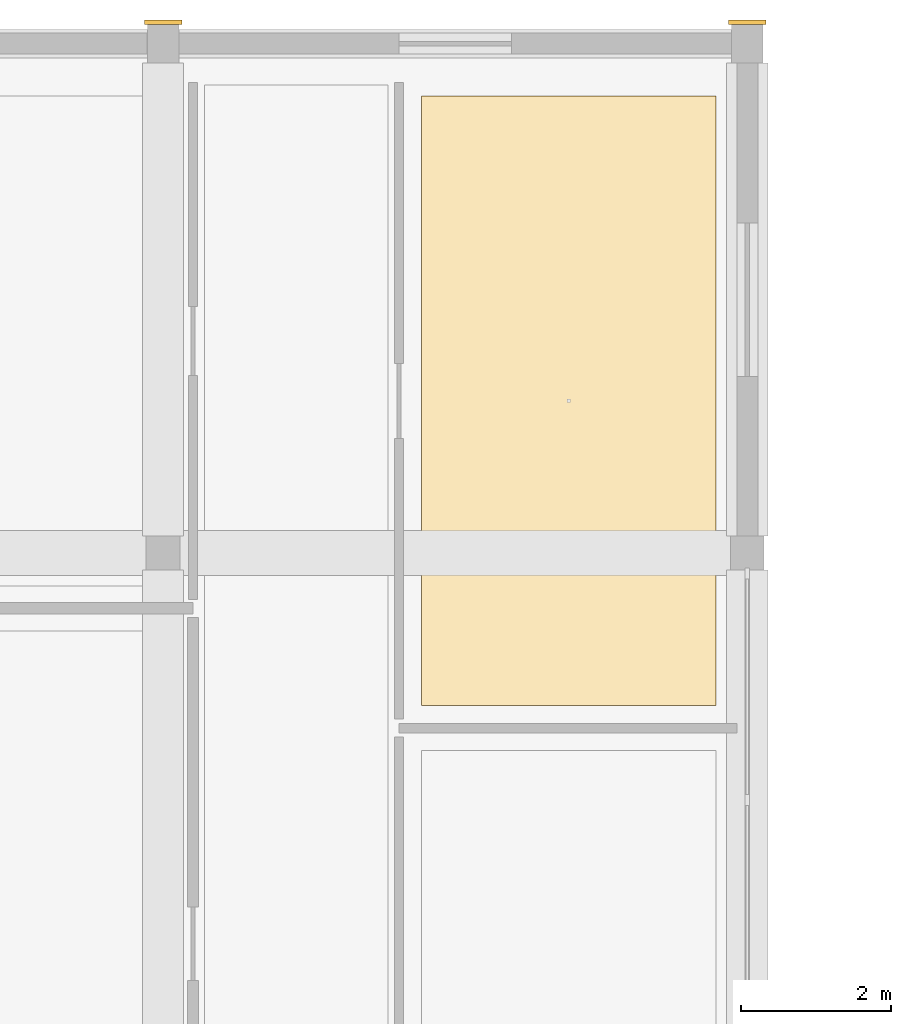
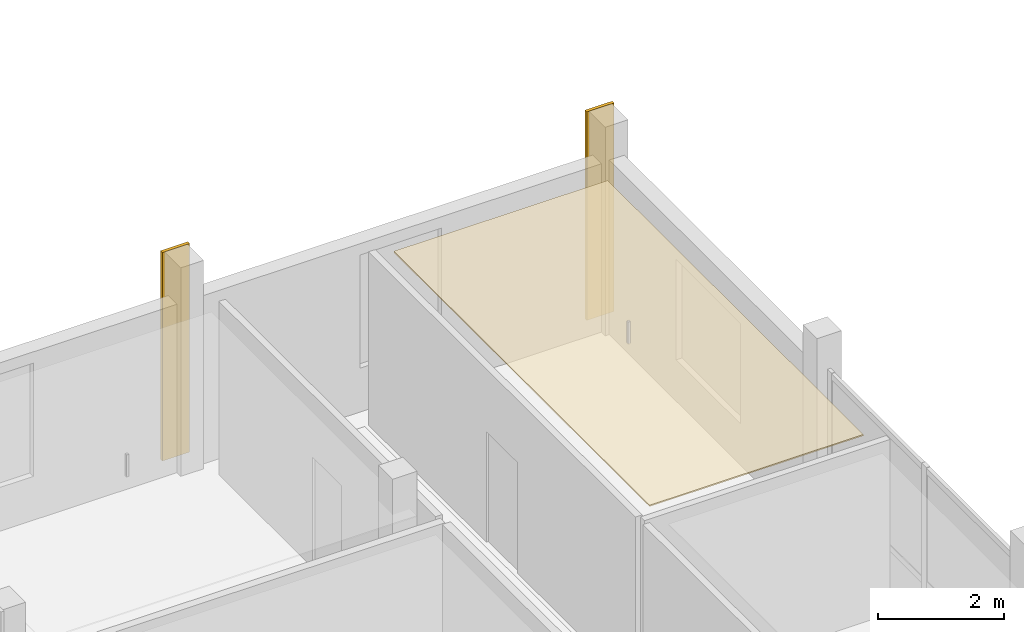
# One storey, part 44 of 48: 3 coverings.
"""IFC4 building model written with IfcOpenShell, lengths in metres."""

from ifc_helpers import new_model, si_unit, derived_unit, direction, frame, origin, origin_2d, place, context, subcontext, project, spatial, polyline, rectangle, outline, extrude, material, layer, layer_set, type_object, element, save


model = new_model("IFC4")

# Units and contexts
model_context = context("Model", 3, precision=1e-05, world=origin(), true_north=direction((0.0, 1.0)))
body_context = subcontext(model_context, "Body", "Model", "MODEL_VIEW")
ifc_project = project(units=[si_unit("LENGTHUNIT", "METRE"), si_unit("AREAUNIT", "SQUARE_METRE"), si_unit("VOLUMEUNIT", "CUBIC_METRE"), si_unit("PLANEANGLEUNIT", "RADIAN"), si_unit("MASSUNIT", "GRAM", prefix="KILO"), derived_unit("THERMALTRANSMITTANCEUNIT", [(si_unit("POWERUNIT", "WATT"), 1), (si_unit("LENGTHUNIT", "METRE"), -2), (si_unit("THERMODYNAMICTEMPERATUREUNIT", "KELVIN"), -1)])], contexts=[model_context])

# Site, building, storey
site_placement = place(None, origin())
site = spatial("IfcSite", under=ifc_project, at=site_placement, CompositionType="ELEMENT")
building_placement = place(site_placement, origin())
building = spatial("IfcBuilding", under=site, at=building_placement, Name="Braskholm Square Health Centre", CompositionType="ELEMENT")
storey_placement = place(building_placement, frame((0.0, 0.0, 17.550048828125)))
storey = spatial("IfcBuildingStorey", under=building, at=storey_placement, Name="L05", CompositionType="ELEMENT", Elevation=17.550048828125)

# Coverings
ifc_material_1 = material(Name="Fire-rated gypsum board barrier")
ifc_layer_1 = layer(ifc_material_1, 0.02490234375)
ifc_layer_set_1 = layer_set([ifc_layer_1], Name="Fire-rated gypsum board barrier")
covering_type_1 = type_object("IfcCoveringType", Name="AcousticClinicalCeilingTile", PredefinedType="CEILING", material=ifc_layer_set_1)
covering_placement = place(storey_placement, frame((0.0, 0.0, 3.3349609375)))
element("IfcCovering", 1, at=covering_placement, inside=storey, type_object=covering_type_1, Name="Acoustic ceiling L05-140", PredefinedType="CEILING", context=body_context, shape_type="SweptSolid", body=[
    extrude(outline(polyline([(14.85009765625, 104.9599609375), (18.780029296875, 104.9599609375), (18.780029296875, 113.10009765625), (14.85009765625, 113.10009765625), (14.85009765625, 104.9599609375)])), origin(), (0.0, 0.0, 1.0), 0.02490234375),
])
ifc_material_2 = material(Name="Precast concrete C40/50 architectural white", Category="concrete")
ifc_layer_2 = layer(ifc_material_2, 0.054931640625)
ifc_layer_set_2 = layer_set([ifc_layer_2], Name="Precast concrete C40/50 architectural white")
covering_type_2 = type_object("IfcCoveringType", Name="PrecastWhiteColumnCasing", PredefinedType="CLADDING", material=ifc_layer_set_2)
for number, where, z_axis, x_axis, name in (
    (2, (11.39990234375, 114.0849609375, 0.0), (0.0, 0.0, 1.0), (1.0, 0.0, 0.0), "Giant-order white precast column casing 0164"),
    (3, (19.199951171875, 114.0849609375, 0.0), (0.0, 0.0, 1.0), (1.0, 0.0, 0.0), "Giant-order white precast column casing 0176"),
):
    element("IfcCovering", number, at=place(storey_placement, frame(where, z_axis=z_axis, x_axis=x_axis)), inside=storey, type_object=covering_type_2, Name=name, PredefinedType="CLADDING", context=body_context, shape_type="SweptSolid", body=[
        extrude(rectangle(XDim=0.5, YDim=0.06005859375, at=origin_2d()), origin(), (0.0, 0.0, 1.0), 4.050048828125),
    ])

save(model, "model.ifc")
